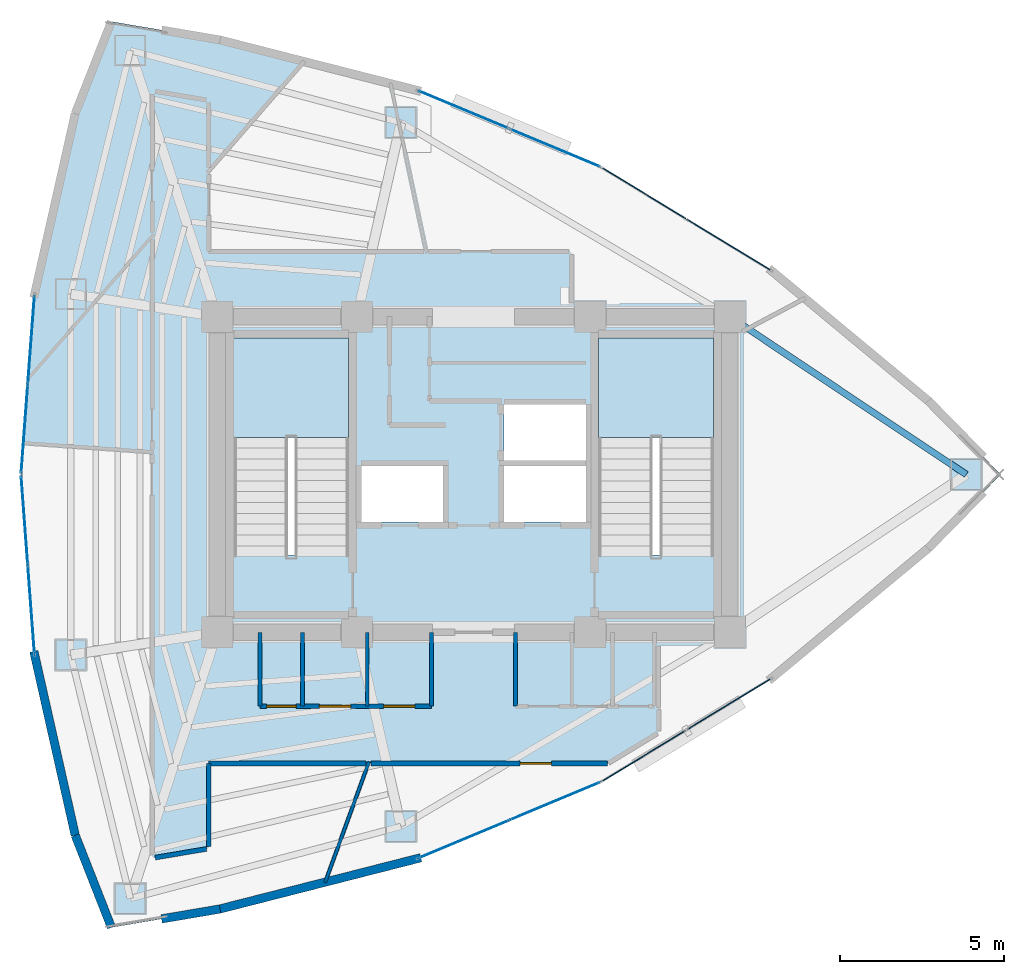
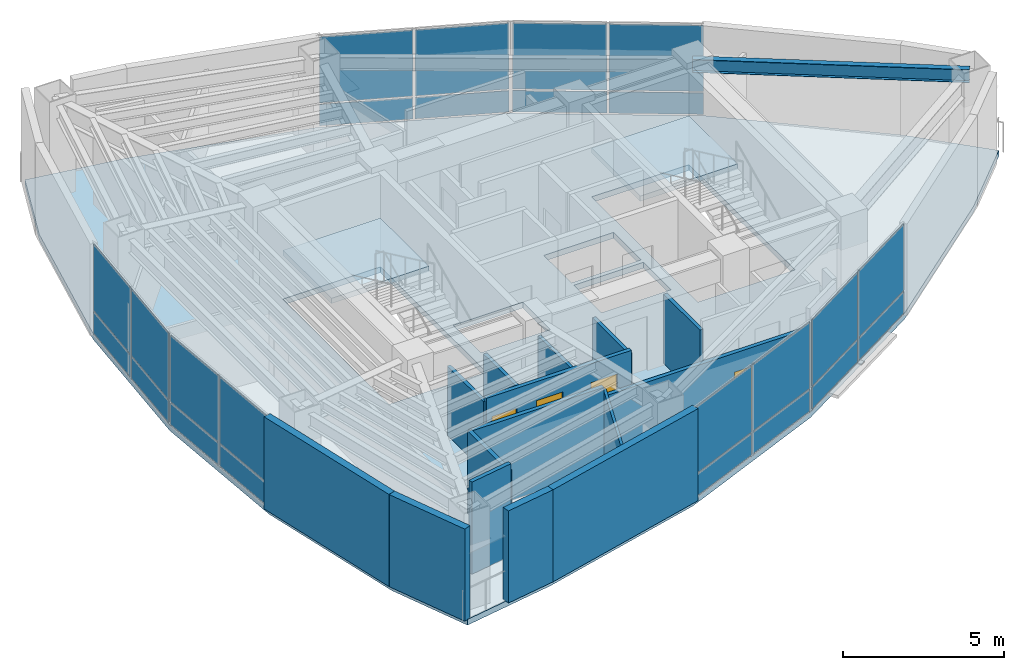
# One storey, part 11 of 15: 24 plates, 15 walls, 4 doors, 3 slabs, 1 beam, 4 openings, 8 elements without a shape of their own.
"""IFC4 building model written with IfcOpenShell, lengths in metres."""

from ifc_helpers import new_model, si_unit, direction, frame, frame_2d, origin, origin_2d, place, context, subcontext, project, spatial, polyline, rectangle, i_section, outline, extrude, material, layer, layer_set, material_profile, profile_set, type_object, element, fill, aggregate, save


model = new_model("IFC4")

# Units and contexts
model_context = context("Model", 3, precision=1e-05, world=origin(), true_north=direction((0.0, 1.0)))
body_context = subcontext(model_context, "Body", "Model", "MODEL_VIEW")
ifc_project = project(units=[si_unit("LENGTHUNIT", "METRE"), si_unit("AREAUNIT", "SQUARE_METRE"), si_unit("VOLUMEUNIT", "CUBIC_METRE"), si_unit("PLANEANGLEUNIT", "RADIAN"), si_unit("MASSUNIT", "GRAM", prefix="KILO")], contexts=[model_context])

# Site, building, storey
site_placement = place(None, origin())
site = spatial("IfcSite", under=ifc_project, at=site_placement, CompositionType="ELEMENT")
building_placement = place(site_placement, origin())
building = spatial("IfcBuilding", under=site, at=building_placement, Name="Menara Vayukalpa", CompositionType="ELEMENT")
storey_placement = place(building_placement, frame((0.0, 0.0, 226.97998046875)))
storey = spatial("IfcBuildingStorey", under=building, at=storey_placement, Name="L57", CompositionType="ELEMENT", Elevation=226.97998046875)

# Beam
ifc_material_1 = material(Name="Steel S355", Category="steel")
ifc_material_profile = material_profile(ifc_material_1, i_section(OverallWidth=0.199951171875, OverallDepth=0.5, WebThickness=0.010009765625, FlangeThickness=0.01611328125, at=origin_2d()), Name="WF 500x200x10x16")
ifc_profile_set = profile_set([ifc_material_profile], Name="Steel S355")
beam_type = type_object("IfcBeamType", Name="BM-SP3", PredefinedType="SPANDREL", material=ifc_profile_set)
beam_placement = place(storey_placement, frame((40.590576171875, 22.0, 3.25), z_axis=(-0.831715622571, 0.555201876052, 0.0), x_axis=(-0.555201876052, -0.831715622571, 0.0)))
element("IfcBeam", 1, at=beam_placement, inside=storey, type_object=beam_type, Name="L57 Perimeter Spandrel Beam SP01", PredefinedType="SPANDREL", context=body_context, shape_type="SweptSolid", body=[
    extrude(i_section(OverallWidth=0.199951171875, OverallDepth=0.5, WebThickness=0.010009765625, FlangeThickness=0.01611328125, at=origin_2d()), origin(), (0.0, 0.0, 1.0), 8.6455078125),
])

# Curtain wall, plates
ifc_material_2 = material(Name="Anodised Terracotta Aluminium Alloy 6063-T6", Category="masonry")
ifc_layer_1 = layer(ifc_material_2, 0.139892578125)
ifc_layer_set_1 = layer_set([ifc_layer_1], Name="Anodised Terracotta Aluminium Alloy 6063-T6")
curtain_wall_type = type_object("IfcCurtainWallType", Name="CW-CW5", PredefinedType="USERDEFINED", material=ifc_layer_set_1)
curtain_wall_1_placement = place(storey_placement, origin())
curtain_wall_1 = element("IfcCurtainWall", 2, at=curtain_wall_1_placement, inside=storey, type_object=curtain_wall_type, Name="L57 High Rise Tapered Curtain Wall CW5 04", ObjectType="UNITISED", PredefinedType="USERDEFINED")
ifc_material_3 = material(Name="Low-E Double Glazing", Category="glass")
ifc_layer_2 = layer(ifc_material_3, 0.028076171875)
ifc_layer_set_2 = layer_set([ifc_layer_2], Name="Low-E Double Glazing")
plate_type = type_object("IfcPlateType", Name="CWP-CW5", PredefinedType="CURTAIN_PANEL", material=ifc_layer_set_2)
plate_1_placement = place(storey_placement, frame((33.358642578125, 28.994384765625, 0.06005859375), z_axis=(0.0, 0.0, 1.0), x_axis=(-0.854664974832, 0.519179911779, 0.0)))
plate_1 = element("IfcPlate", 3, at=plate_1_placement, type_object=plate_type, Name="CW5 panel 1.1", PredefinedType="CURTAIN_PANEL", context=body_context, shape_type="SweptSolid", body=[
    extrude(rectangle(XDim=2.9423828125, YDim=0.028076171875, at=origin_2d()), origin(), (0.0, 0.0, 1.0), 0.81005859375),
])
plate_2_placement = place(storey_placement, frame((33.358642578125, 28.994384765625, 0.93017578125), z_axis=(0.0, 0.0, 1.0), x_axis=(-0.854664974832, 0.519179911779, 0.0)))
plate_2 = element("IfcPlate", 4, at=plate_2_placement, type_object=plate_type, Name="CW5 panel 1.2", PredefinedType="CURTAIN_PANEL", context=body_context, shape_type="SweptSolid", body=[
    extrude(rectangle(XDim=2.9423828125, YDim=0.028076171875, at=origin_2d()), origin(), (0.0, 0.0, 1.0), 2.510009765625),
])
plate_3_placement = place(storey_placement, frame((30.79248046875, 30.55322265625, 0.06005859375), z_axis=(0.0, 0.0, 1.0), x_axis=(-0.854664974832, 0.519179911779, 0.0)))
plate_3 = element("IfcPlate", 5, at=plate_3_placement, type_object=plate_type, Name="CW5 panel 2.1", PredefinedType="CURTAIN_PANEL", context=body_context, shape_type="SweptSolid", body=[
    extrude(rectangle(XDim=2.9423828125, YDim=0.028076171875, at=origin_2d()), origin(), (0.0, 0.0, 1.0), 0.81005859375),
])
plate_4_placement = place(storey_placement, frame((30.79248046875, 30.55322265625, 0.93017578125), z_axis=(0.0, 0.0, 1.0), x_axis=(-0.854664974832, 0.519179911779, 0.0)))
plate_4 = element("IfcPlate", 6, at=plate_4_placement, type_object=plate_type, Name="CW5 panel 2.2", PredefinedType="CURTAIN_PANEL", context=body_context, shape_type="SweptSolid", body=[
    extrude(rectangle(XDim=2.9423828125, YDim=0.028076171875, at=origin_2d()), origin(), (0.0, 0.0, 1.0), 2.510009765625),
])
aggregate(curtain_wall_1, [plate_1, plate_2, plate_3, plate_4])

curtain_wall_2_placement = place(storey_placement, origin())
curtain_wall_2 = element("IfcCurtainWall", 7, at=curtain_wall_2_placement, inside=storey, type_object=curtain_wall_type, Name="L57 High Rise Tapered Curtain Wall CW5 05", ObjectType="UNITISED", PredefinedType="USERDEFINED")
plate_5_placement = place(storey_placement, frame((28.071044921875, 31.93896484375, 0.06005859375), z_axis=(0.0, 0.0, 1.0), x_axis=(-0.922539431351, 0.385902834406, 0.0)))
plate_5 = element("IfcPlate", 8, at=plate_5_placement, type_object=plate_type, Name="CW5 panel 1.1", PredefinedType="CURTAIN_PANEL", context=body_context, shape_type="SweptSolid", body=[
    extrude(rectangle(XDim=2.9423828125, YDim=0.028076171875, at=origin_2d()), origin(), (0.0, 0.0, 1.0), 0.81005859375),
])
plate_6_placement = place(storey_placement, frame((28.071044921875, 31.93896484375, 0.93017578125), z_axis=(0.0, 0.0, 1.0), x_axis=(-0.922539431351, 0.385902834406, 0.0)))
plate_6 = element("IfcPlate", 9, at=plate_6_placement, type_object=plate_type, Name="CW5 panel 1.2", PredefinedType="CURTAIN_PANEL", context=body_context, shape_type="SweptSolid", body=[
    extrude(rectangle(XDim=2.9423828125, YDim=0.028076171875, at=origin_2d()), origin(), (0.0, 0.0, 1.0), 2.510009765625),
])
plate_7_placement = place(storey_placement, frame((25.30126953125, 33.09765625, 0.06005859375), z_axis=(0.0, 0.0, 1.0), x_axis=(-0.922539431351, 0.385902834406, 0.0)))
plate_7 = element("IfcPlate", 10, at=plate_7_placement, type_object=plate_type, Name="CW5 panel 2.1", PredefinedType="CURTAIN_PANEL", context=body_context, shape_type="SweptSolid", body=[
    extrude(rectangle(XDim=2.9423828125, YDim=0.028076171875, at=origin_2d()), origin(), (0.0, 0.0, 1.0), 0.81005859375),
])
plate_8_placement = place(storey_placement, frame((25.30126953125, 33.09765625, 0.93017578125), z_axis=(0.0, 0.0, 1.0), x_axis=(-0.922539431351, 0.385902834406, 0.0)))
plate_8 = element("IfcPlate", 11, at=plate_8_placement, type_object=plate_type, Name="CW5 panel 2.2", PredefinedType="CURTAIN_PANEL", context=body_context, shape_type="SweptSolid", body=[
    extrude(rectangle(XDim=2.9423828125, YDim=0.028076171875, at=origin_2d()), origin(), (0.0, 0.0, 1.0), 2.510009765625),
])
aggregate(curtain_wall_2, [plate_5, plate_6, plate_7, plate_8])

curtain_wall_3_placement = place(storey_placement, origin())
curtain_wall_3 = element("IfcCurtainWall", 12, at=curtain_wall_3_placement, inside=storey, type_object=curtain_wall_type, Name="L57 High Rise Tapered Curtain Wall CW5 10", ObjectType="UNITISED", PredefinedType="USERDEFINED")
plate_9_placement = place(storey_placement, frame((12.139892578125, 26.10205078125, 0.06005859375), z_axis=(0.0, 0.0, 1.0), x_axis=(-0.074791754736, -0.9971991744, 0.0)))
plate_9 = element("IfcPlate", 13, at=plate_9_placement, type_object=plate_type, Name="CW5 panel 1.1", PredefinedType="CURTAIN_PANEL", context=body_context, shape_type="SweptSolid", body=[
    extrude(rectangle(XDim=2.662353515625, YDim=0.028076171875, at=origin_2d()), origin(), (0.0, 0.0, 1.0), 0.81005859375),
])
plate_10_placement = place(storey_placement, frame((12.139892578125, 26.10205078125, 0.93017578125), z_axis=(0.0, 0.0, 1.0), x_axis=(-0.074791754736, -0.9971991744, 0.0)))
plate_10 = element("IfcPlate", 14, at=plate_10_placement, type_object=plate_type, Name="CW5 panel 1.2", PredefinedType="CURTAIN_PANEL", context=body_context, shape_type="SweptSolid", body=[
    extrude(rectangle(XDim=2.662353515625, YDim=0.028076171875, at=origin_2d()), origin(), (0.0, 0.0, 1.0), 2.510009765625),
])
plate_11_placement = place(storey_placement, frame((11.936279296875, 23.38720703125, 0.06005859375), z_axis=(0.0, 0.0, 1.0), x_axis=(-0.074791754736, -0.9971991744, 0.0)))
plate_11 = element("IfcPlate", 15, at=plate_11_placement, type_object=plate_type, Name="CW5 panel 2.1", PredefinedType="CURTAIN_PANEL", context=body_context, shape_type="SweptSolid", body=[
    extrude(rectangle(XDim=2.662353515625, YDim=0.028076171875, at=origin_2d()), origin(), (0.0, 0.0, 1.0), 0.81005859375),
])
plate_12_placement = place(storey_placement, frame((11.936279296875, 23.38720703125, 0.93017578125), z_axis=(0.0, 0.0, 1.0), x_axis=(-0.074791754736, -0.9971991744, 0.0)))
plate_12 = element("IfcPlate", 16, at=plate_12_placement, type_object=plate_type, Name="CW5 panel 2.2", PredefinedType="CURTAIN_PANEL", context=body_context, shape_type="SweptSolid", body=[
    extrude(rectangle(XDim=2.662353515625, YDim=0.028076171875, at=origin_2d()), origin(), (0.0, 0.0, 1.0), 2.510009765625),
])
aggregate(curtain_wall_3, [plate_9, plate_10, plate_11, plate_12])

curtain_wall_4_placement = place(storey_placement, origin())
curtain_wall_4 = element("IfcCurtainWall", 17, at=curtain_wall_4_placement, inside=storey, type_object=curtain_wall_type, Name="L57 High Rise Tapered Curtain Wall CW5 11", ObjectType="UNITISED", PredefinedType="USERDEFINED")
plate_13_placement = place(storey_placement, frame((11.936279296875, 20.61279296875, 0.06005859375), z_axis=(0.0, 0.0, 1.0), x_axis=(0.074791754736, -0.9971991744, 0.0)))
plate_13 = element("IfcPlate", 18, at=plate_13_placement, type_object=plate_type, Name="CW5 panel 1.1", PredefinedType="CURTAIN_PANEL", context=body_context, shape_type="SweptSolid", body=[
    extrude(rectangle(XDim=2.662353515625, YDim=0.028076171875, at=origin_2d()), origin(), (0.0, 0.0, 1.0), 0.81005859375),
])
plate_14_placement = place(storey_placement, frame((11.936279296875, 20.61279296875, 0.93017578125), z_axis=(0.0, 0.0, 1.0), x_axis=(0.074791754736, -0.9971991744, 0.0)))
plate_14 = element("IfcPlate", 19, at=plate_14_placement, type_object=plate_type, Name="CW5 panel 1.2", PredefinedType="CURTAIN_PANEL", context=body_context, shape_type="SweptSolid", body=[
    extrude(rectangle(XDim=2.662353515625, YDim=0.028076171875, at=origin_2d()), origin(), (0.0, 0.0, 1.0), 2.510009765625),
])
plate_15_placement = place(storey_placement, frame((12.139892578125, 17.89794921875, 0.06005859375), z_axis=(0.0, 0.0, 1.0), x_axis=(0.074791754736, -0.9971991744, 0.0)))
plate_15 = element("IfcPlate", 20, at=plate_15_placement, type_object=plate_type, Name="CW5 panel 2.1", PredefinedType="CURTAIN_PANEL", context=body_context, shape_type="SweptSolid", body=[
    extrude(rectangle(XDim=2.662353515625, YDim=0.028076171875, at=origin_2d()), origin(), (0.0, 0.0, 1.0), 0.81005859375),
])
plate_16_placement = place(storey_placement, frame((12.139892578125, 17.89794921875, 0.93017578125), z_axis=(0.0, 0.0, 1.0), x_axis=(0.074791754736, -0.9971991744, 0.0)))
plate_16 = element("IfcPlate", 21, at=plate_16_placement, type_object=plate_type, Name="CW5 panel 2.2", PredefinedType="CURTAIN_PANEL", context=body_context, shape_type="SweptSolid", body=[
    extrude(rectangle(XDim=2.662353515625, YDim=0.028076171875, at=origin_2d()), origin(), (0.0, 0.0, 1.0), 2.510009765625),
])
aggregate(curtain_wall_4, [plate_13, plate_14, plate_15, plate_16])

curtain_wall_5_placement = place(storey_placement, origin())
curtain_wall_5 = element("IfcCurtainWall", 22, at=curtain_wall_5_placement, inside=storey, type_object=curtain_wall_type, Name="L57 High Rise Tapered Curtain Wall CW5 16", ObjectType="UNITISED", PredefinedType="USERDEFINED")
plate_17_placement = place(storey_placement, frame((25.30126953125, 10.90234375, 0.06005859375), z_axis=(0.0, 0.0, 1.0), x_axis=(0.922539431351, 0.385902834406, 0.0)))
plate_17 = element("IfcPlate", 23, at=plate_17_placement, type_object=plate_type, Name="CW5 panel 1.1", PredefinedType="CURTAIN_PANEL", context=body_context, shape_type="SweptSolid", body=[
    extrude(rectangle(XDim=2.9423828125, YDim=0.028076171875, at=origin_2d()), origin(), (0.0, 0.0, 1.0), 0.81005859375),
])
plate_18_placement = place(storey_placement, frame((25.30126953125, 10.90234375, 0.93017578125), z_axis=(0.0, 0.0, 1.0), x_axis=(0.922539431351, 0.385902834406, 0.0)))
plate_18 = element("IfcPlate", 24, at=plate_18_placement, type_object=plate_type, Name="CW5 panel 1.2", PredefinedType="CURTAIN_PANEL", context=body_context, shape_type="SweptSolid", body=[
    extrude(rectangle(XDim=2.9423828125, YDim=0.028076171875, at=origin_2d()), origin(), (0.0, 0.0, 1.0), 2.510009765625),
])
plate_19_placement = place(storey_placement, frame((28.071044921875, 12.06103515625, 0.06005859375), z_axis=(0.0, 0.0, 1.0), x_axis=(0.922539431351, 0.385902834406, 0.0)))
plate_19 = element("IfcPlate", 25, at=plate_19_placement, type_object=plate_type, Name="CW5 panel 2.1", PredefinedType="CURTAIN_PANEL", context=body_context, shape_type="SweptSolid", body=[
    extrude(rectangle(XDim=2.9423828125, YDim=0.028076171875, at=origin_2d()), origin(), (0.0, 0.0, 1.0), 0.81005859375),
])
plate_20_placement = place(storey_placement, frame((28.071044921875, 12.06103515625, 0.93017578125), z_axis=(0.0, 0.0, 1.0), x_axis=(0.922539431351, 0.385902834406, 0.0)))
plate_20 = element("IfcPlate", 26, at=plate_20_placement, type_object=plate_type, Name="CW5 panel 2.2", PredefinedType="CURTAIN_PANEL", context=body_context, shape_type="SweptSolid", body=[
    extrude(rectangle(XDim=2.9423828125, YDim=0.028076171875, at=origin_2d()), origin(), (0.0, 0.0, 1.0), 2.510009765625),
])
aggregate(curtain_wall_5, [plate_17, plate_18, plate_19, plate_20])

curtain_wall_6_placement = place(storey_placement, origin())
curtain_wall_6 = element("IfcCurtainWall", 27, at=curtain_wall_6_placement, inside=storey, type_object=curtain_wall_type, Name="L57 High Rise Tapered Curtain Wall CW5 17", ObjectType="UNITISED", PredefinedType="USERDEFINED")
plate_21_placement = place(storey_placement, frame((30.79248046875, 13.44677734375, 0.06005859375), z_axis=(0.0, 0.0, 1.0), x_axis=(0.854664974832, 0.519179911779, 0.0)))
plate_21 = element("IfcPlate", 28, at=plate_21_placement, type_object=plate_type, Name="CW5 panel 1.1", PredefinedType="CURTAIN_PANEL", context=body_context, shape_type="SweptSolid", body=[
    extrude(rectangle(XDim=2.9423828125, YDim=0.028076171875, at=origin_2d()), origin(), (0.0, 0.0, 1.0), 0.81005859375),
])
plate_22_placement = place(storey_placement, frame((30.79248046875, 13.44677734375, 0.93017578125), z_axis=(0.0, 0.0, 1.0), x_axis=(0.854664974832, 0.519179911779, 0.0)))
plate_22 = element("IfcPlate", 29, at=plate_22_placement, type_object=plate_type, Name="CW5 panel 1.2", PredefinedType="CURTAIN_PANEL", context=body_context, shape_type="SweptSolid", body=[
    extrude(rectangle(XDim=2.9423828125, YDim=0.028076171875, at=origin_2d()), origin(), (0.0, 0.0, 1.0), 2.510009765625),
])
plate_23_placement = place(storey_placement, frame((33.358642578125, 15.005615234375, 0.06005859375), z_axis=(0.0, 0.0, 1.0), x_axis=(0.854664974832, 0.519179911779, 0.0)))
plate_23 = element("IfcPlate", 30, at=plate_23_placement, type_object=plate_type, Name="CW5 panel 2.1", PredefinedType="CURTAIN_PANEL", context=body_context, shape_type="SweptSolid", body=[
    extrude(rectangle(XDim=2.9423828125, YDim=0.028076171875, at=origin_2d()), origin(), (0.0, 0.0, 1.0), 0.81005859375),
])
plate_24_placement = place(storey_placement, frame((33.358642578125, 15.005615234375, 0.93017578125), z_axis=(0.0, 0.0, 1.0), x_axis=(0.854664974832, 0.519179911779, 0.0)))
plate_24 = element("IfcPlate", 31, at=plate_24_placement, type_object=plate_type, Name="CW5 panel 2.2", PredefinedType="CURTAIN_PANEL", context=body_context, shape_type="SweptSolid", body=[
    extrude(rectangle(XDim=2.9423828125, YDim=0.028076171875, at=origin_2d()), origin(), (0.0, 0.0, 1.0), 2.510009765625),
])
aggregate(curtain_wall_6, [plate_21, plate_22, plate_23, plate_24])

# Slab
ifc_material_4 = material(Name="Concrete C40/50", Category="concrete")
ifc_layer_3 = layer(ifc_material_4, 0.219970703125)
ifc_layer_set_3 = layer_set([ifc_layer_3], Name="Concrete C40/50")
slab_type_1 = type_object("IfcSlabType", Name="SLB-FL220", PredefinedType="FLOOR", material=ifc_layer_set_3)
slab_1_placement = place(storey_placement, frame((0.0, 0.0, -0.219970703125)))
element("IfcSlab", 32, at=slab_1_placement, inside=storey, type_object=slab_type_1, Name="L57 Structural Floor Slab", PredefinedType="FLOOR", context=body_context, shape_type="SweptSolid", body=[
    extrude(outline(polyline([(39.439208984375, 19.7578125), (41.640380859375, 22.0), (39.439208984375, 24.2421875), (34.667236328125, 28.19921875), (29.48388671875, 31.34814453125), (23.888671875, 33.688720703125), (17.881591796875, 35.220703125), (14.579833984375, 35.781005859375), (13.47900390625, 32.978515625), (12.243896484375, 27.4892578125), (11.832275390625, 22.0), (12.243896484375, 16.5107421875), (13.47900390625, 11.021484375), (14.579833984375, 8.218994140625), (17.881591796875, 8.779296875), (23.888671875, 10.311279296875), (29.48388671875, 12.65185546875), (34.667236328125, 15.80078125), (39.439208984375, 19.7578125)]), holes=[polyline([(21.800048828125, 19.550048828125), (21.800048828125, 26.14990234375), (18.300048828125, 26.14990234375), (18.300048828125, 19.550048828125), (21.800048828125, 19.550048828125)]), polyline([(32.89990234375, 19.550048828125), (32.89990234375, 26.14990234375), (29.39990234375, 26.14990234375), (29.39990234375, 19.550048828125), (32.89990234375, 19.550048828125)]), polyline([(22.179931640625, 20.550048828125), (24.679931640625, 20.550048828125), (24.679931640625, 22.27001953125), (22.179931640625, 22.27001953125), (22.179931640625, 20.550048828125)]), polyline([(26.52001953125, 20.550048828125), (29.02001953125, 20.550048828125), (29.02001953125, 22.27001953125), (26.52001953125, 22.27001953125), (26.52001953125, 20.550048828125)]), polyline([(26.52001953125, 22.419921875), (29.02001953125, 22.419921875), (29.02001953125, 24.139892578125), (26.52001953125, 24.139892578125), (26.52001953125, 22.419921875)])]), origin(), (0.0, 0.0, 1.0), 0.219970703125),
])

# Stair, slab
ifc_material_5 = material(Name="Precast Concrete C40/50", Category="concrete")
stair_type = type_object("IfcStairType", Name="STR-T04", PredefinedType="DOUBLE_RETURN_STAIR", material=ifc_material_5)
stair_1_placement = place(storey_placement, origin())
stair_1 = element("IfcStair", 33, at=stair_1_placement, inside=storey, type_object=stair_type, Name="L57 Core Exit Stair ST-1", PredefinedType="DOUBLE_RETURN_STAIR")
ifc_material_6 = material(Name="Precast Concrete C40/50", Category="concrete")
ifc_layer_4 = layer(ifc_material_6, 0.199951171875)
ifc_layer_set_4 = layer_set([ifc_layer_4], Name="Precast Concrete C40/50")
slab_type_2 = type_object("IfcSlabType", Name="SLB-LND200", PredefinedType="LANDING", material=ifc_layer_set_4)
slab_2_placement = place(storey_placement, frame((0.0, 0.0, 1.659912109375)))
slab_2 = element("IfcSlab", 34, at=slab_2_placement, type_object=slab_type_2, Name="ST-1 landing 1", PredefinedType="LANDING", context=body_context, shape_type="SweptSolid", body=[
    extrude(outline(polyline([(21.800048828125, 23.1298828125), (21.800048828125, 26.14990234375), (18.300048828125, 26.14990234375), (18.300048828125, 23.1298828125), (21.800048828125, 23.1298828125)])), origin(), (0.0, 0.0, 1.0), 0.2001953125),
])
aggregate(stair_1, [slab_2])

stair_2_placement = place(storey_placement, origin())
stair_2 = element("IfcStair", 35, at=stair_2_placement, inside=storey, type_object=stair_type, Name="L57 Core Exit Stair ST-2", PredefinedType="DOUBLE_RETURN_STAIR")
slab_3_placement = place(storey_placement, frame((0.0, 0.0, 1.659912109375)))
slab_3 = element("IfcSlab", 36, at=slab_3_placement, type_object=slab_type_2, Name="ST-2 landing 1", PredefinedType="LANDING", context=body_context, shape_type="SweptSolid", body=[
    extrude(outline(polyline([(32.89990234375, 23.1298828125), (32.89990234375, 26.14990234375), (29.39990234375, 26.14990234375), (29.39990234375, 23.1298828125), (32.89990234375, 23.1298828125)])), origin(), (0.0, 0.0, 1.0), 0.2001953125),
])
aggregate(stair_2, [slab_3])

# Walls
ifc_material_7 = material(Name="Insulated Precast Concrete C40/50", Category="concrete")
ifc_layer_5 = layer(ifc_material_7, 0.260009765625)
ifc_layer_set_5 = layer_set([ifc_layer_5], Name="Insulated Precast Concrete C40/50")
wall_type_1 = type_object("IfcWallType", Name="WAL-EXT260", PredefinedType="PARTITIONING", material=ifc_layer_set_5)
wall_1_placement = place(storey_placement, frame((13.47900390625, 11.021484375, 0.0), z_axis=(0.0, 0.0, 1.0), x_axis=(-0.219475737697, 0.975617958303, 0.0)))
element("IfcWall", 37, at=wall_1_placement, inside=storey, type_object=wall_type_1, Name="L57 Perimeter Terracotta Pier Wall 12", PredefinedType="PARTITIONING", context=body_context, shape_type="SweptSolid", body=[
    extrude(rectangle(XDim=5.736572265625, YDim=0.260009765625, at=frame_2d((2.8681640625, 0.0))), origin(), (0.0, 0.0, 1.0), 3.5),
])
wall_2_placement = place(storey_placement, frame((14.579833984375, 8.218994140625, 0.0), z_axis=(0.0, 0.0, 1.0), x_axis=(-0.365609724313, 0.930768246927, 0.0)))
element("IfcWall", 38, at=wall_2_placement, inside=storey, type_object=wall_type_1, Name="L57 Perimeter Terracotta Pier Wall 13", PredefinedType="PARTITIONING", context=body_context, shape_type="SweptSolid", body=[
    extrude(rectangle(XDim=3.010986328125, YDim=0.260009765625, at=frame_2d((1.50537109375, 0.0))), origin(), (0.0, 0.0, 1.0), 3.5),
])
wall_3_placement = place(storey_placement, frame((17.8876953125, 8.780517578125, 0.0), z_axis=(0.0, 0.0, 1.0), x_axis=(-0.985877723898, -0.167466753484, 0.0)))
element("IfcWall", 39, at=wall_3_placement, inside=storey, type_object=wall_type_1, Name="L57 Perimeter Terracotta Pier Wall 14", PredefinedType="PARTITIONING", context=body_context, shape_type="SweptSolid", body=[
    extrude(rectangle(XDim=1.80615234375, YDim=0.260009765625, at=frame_2d((0.903076171875, 0.0))), origin(), (0.0, 0.0, 1.0), 3.5),
])
wall_4_placement = place(storey_placement, frame((23.9951171875, 10.338623046875, 0.0), z_axis=(0.0, 0.0, 1.0), x_axis=(-0.968976240439, -0.247153890246, 0.0)))
element("IfcWall", 40, at=wall_4_placement, inside=storey, type_object=wall_type_1, Name="L57 Perimeter Terracotta Pier Wall 15", PredefinedType="PARTITIONING", context=body_context, shape_type="SweptSolid", body=[
    extrude(rectangle(XDim=6.31494140625, YDim=0.260009765625, at=frame_2d((3.157470703125, 0.0))), origin(), (0.0, 0.0, 1.0), 3.5),
])
ifc_material_8 = material(Name="Glazed Demountable Office Partition", Category="glass")
ifc_layer_6 = layer(ifc_material_8, 0.094970703125)
ifc_layer_set_6 = layer_set([ifc_layer_6], Name="Glazed Demountable Office Partition")
wall_type_2 = type_object("IfcWallType", Name="WAL-PT100", PredefinedType="PARTITIONING", material=ifc_layer_set_6)
wall_5_placement = place(storey_placement, frame((22.4189453125, 13.260009765625, 0.0), z_axis=(0.0, 0.0, 1.0), x_axis=(-0.342048810679, -0.939682186227, 0.0)))
element("IfcWall", 41, at=wall_5_placement, inside=storey, type_object=wall_type_2, Name="L57 Interior Partition IW-L57-RDIV04", PredefinedType="PARTITIONING", context=body_context, shape_type="SweptSolid", body=[
    extrude(rectangle(XDim=3.91064453125, YDim=0.094970703125, at=frame_2d((1.955322265625, 0.0))), origin(), (0.0, 0.0, 1.0), 2.97998046875),
])
ifc_material_9 = material(Name="Acoustic Mineral Stud Partition", Category="masonry")
ifc_layer_7 = layer(ifc_material_9, 0.110107421875)
ifc_layer_set_7 = layer_set([ifc_layer_7], Name="Acoustic Mineral Stud Partition")
wall_type_3 = type_object("IfcWallType", Name="WAL-PT110", PredefinedType="PARTITIONING", material=ifc_layer_set_7)
wall_6_placement = place(storey_placement, frame((22.360107421875, 14.949951171875, 0.0), z_axis=(0.0, 0.0, 1.0), x_axis=(0.0, 1.0, 0.0)))
element("IfcWall", 42, at=wall_6_placement, inside=storey, type_object=wall_type_3, Name="L57 Interior Partition IW-L57-SVCD-03", PredefinedType="PARTITIONING", context=body_context, shape_type="SweptSolid", body=[
    extrude(rectangle(XDim=2.25, YDim=0.110107421875, at=frame_2d((1.125, 0.0))), origin(), (0.0, 0.0, 1.0), 2.630126953125),
])
ifc_material_10 = material(Name="Gypsum Drywall Steel Stud Assembly", Category="steel")
ifc_layer_8 = layer(ifc_material_10, 0.125)
ifc_layer_set_8 = layer_set([ifc_layer_8], Name="Gypsum Drywall Steel Stud Assembly")
wall_type_4 = type_object("IfcWallType", Name="WAL-PT125", PredefinedType="PARTITIONING", material=ifc_layer_set_8)
for number, where, z_axis, x_axis, name in (
    (43, (19.10009765625, 14.949951171875, 0.0), (0.0, 0.0, 1.0), (0.0, 1.0, 0.0), "L57 Interior Partition IW-L57-SVCD-01"),
    (44, (20.39990234375, 14.949951171875, 0.0), (0.0, 0.0, 1.0), (0.0, 1.0, 0.0), "L57 Interior Partition IW-L57-SVCD-02"),
    (45, (24.320068359375, 14.949951171875, 0.0), (0.0, 0.0, 1.0), (0.0, 1.0, 0.0), "L57 Interior Partition IW-L57-SVCD-04"),
    (46, (26.8798828125, 14.949951171875, 0.0), (0.0, 0.0, 1.0), (0.0, 1.0, 0.0), "L57 Interior Partition IW-L57-SVCD-05"),
):
    element("IfcWall", number, at=place(storey_placement, frame(where, z_axis=z_axis, x_axis=x_axis)), inside=storey, type_object=wall_type_4, Name=name, PredefinedType="PARTITIONING", context=body_context, shape_type="SweptSolid", body=[
        extrude(rectangle(XDim=2.25, YDim=0.125, at=frame_2d((1.125, 0.0))), origin(), (0.0, 0.0, 1.0), 2.630126953125),
    ])

# Wall, openings, doors
ifc_material_11 = material(Name="Gypsum Drywall Acoustic Stud Assembly", Category="masonry")
ifc_layer_9 = layer(ifc_material_11, 0.14501953125)
ifc_layer_set_9 = layer_set([ifc_layer_9], Name="Gypsum Drywall Acoustic Stud Assembly")
wall_type_5 = type_object("IfcWallType", Name="WAL-PT150", PredefinedType="PARTITIONING", material=ifc_layer_set_9)
wall_7_placement = place(storey_placement, frame((19.10009765625, 14.949951171875, 0.0), z_axis=(0.0, 0.0, 1.0), x_axis=(1.0, 0.0, 0.0)))
wall_7 = element("IfcWall", 47, at=wall_7_placement, inside=storey, type_object=wall_type_5, Name="L57 Interior Partition IW-L57-SVCS-W", PredefinedType="PARTITIONING", context=body_context, shape_type="SweptSolid", body=[
    extrude(rectangle(XDim=5.219970703125, YDim=0.14501953125, at=frame_2d((2.60986328125, 0.0))), origin(), (0.0, 0.0, 1.0), 2.780029296875),
])
opening_1_placement = place(wall_7_placement, frame((0.199951171875, 0.0, 0.0)))
opening_1 = element("IfcOpeningElement", 48, at=opening_1_placement, cuts=wall_7, Name="Opening ID7", PredefinedType="OPENING", context=body_context, shape_type="SweptSolid", body=[
    extrude(rectangle(XDim=0.89990234375, YDim=2.02001953125, at=frame_2d((0.449951171875, 1.010009765625))), frame((0.0, 0.08251953125, 0.0), z_axis=(0.0, -1.0, 0.0), x_axis=(1.0, 0.0, 0.0)), (0.0, 0.0, 1.0), 0.1650390625),
])
opening_2_placement = place(wall_7_placement, frame((1.804931640625, 0.0, 0.0)))
opening_2 = element("IfcOpeningElement", 49, at=opening_2_placement, cuts=wall_7, Name="Opening ID5", PredefinedType="OPENING", context=body_context, shape_type="SweptSolid", body=[
    extrude(rectangle(XDim=0.949951171875, YDim=2.06005859375, at=frame_2d((0.47509765625, 1.030029296875))), frame((0.0, 0.08251953125, 0.0), z_axis=(0.0, -1.0, 0.0), x_axis=(1.0, 0.0, 0.0)), (0.0, 0.0, 1.0), 0.1650390625),
])
opening_3_placement = place(wall_7_placement, frame((3.764892578125, 0.0, 0.0)))
opening_3 = element("IfcOpeningElement", 50, at=opening_3_placement, cuts=wall_7, Name="Opening ID5", PredefinedType="OPENING", context=body_context, shape_type="SweptSolid", body=[
    extrude(rectangle(XDim=0.949951171875, YDim=2.06005859375, at=frame_2d((0.47509765625, 1.030029296875))), frame((0.0, 0.08251953125, 0.0), z_axis=(0.0, -1.0, 0.0), x_axis=(1.0, 0.0, 0.0)), (0.0, 0.0, 1.0), 0.1650390625),
])
ifc_material_12 = material(Name="Acoustic Hardwood Veneer Timber Door", Category="wood")
door_type_1 = type_object("IfcDoorType", Name="DR-INT95", OperationType="NOTDEFINED", PredefinedType="DOOR", material=ifc_material_12)
door_1_placement = place(opening_2_placement, origin())
door_1 = element("IfcDoor", 51, at=door_1_placement, inside=storey, type_object=door_type_1, Name="L57 Interior Door DR-L57-AWC", OperationType="SINGLE_SWING_RIGHT", OverallHeight=2.06005859375, OverallWidth=0.949951171875, PredefinedType="DOOR", context=body_context, shape_type="SweptSolid", body=[
    extrude(rectangle(XDim=0.949951171875, YDim=2.06005859375, at=frame_2d((0.47509765625, 1.030029296875))), frame((0.0, 0.02490234375, 0.0), z_axis=(0.0, -1.0, 0.0), x_axis=(1.0, 0.0, 0.0)), (0.0, 0.0, 1.0), 0.050048828125),
])
fill(opening_2, door_1)
door_2_placement = place(opening_3_placement, origin())
door_2 = element("IfcDoor", 52, at=door_2_placement, inside=storey, type_object=door_type_1, Name="L57 Interior Door DR-L57-SWC", OperationType="SINGLE_SWING_LEFT", OverallHeight=2.06005859375, OverallWidth=0.949951171875, PredefinedType="DOOR", context=body_context, shape_type="SweptSolid", body=[
    extrude(rectangle(XDim=0.949951171875, YDim=2.06005859375, at=frame_2d((0.47509765625, 1.030029296875))), frame((0.0, 0.02490234375, 0.0), z_axis=(0.0, -1.0, 0.0), x_axis=(1.0, 0.0, 0.0)), (0.0, 0.0, 1.0), 0.050048828125),
])
fill(opening_3, door_2)
ifc_material_13 = material(Name="Powder-Coated Steel Riser Access Door", Category="steel")
door_type_2 = type_object("IfcDoorType", Name="DR-RISER", OperationType="NOTDEFINED", PredefinedType="DOOR", material=ifc_material_13)
door_3_placement = place(opening_1_placement, origin())
door_3 = element("IfcDoor", 53, at=door_3_placement, inside=storey, type_object=door_type_2, Name="L57 Interior Door DR-L57-ELR", OperationType="SINGLE_SWING_LEFT", OverallHeight=2.02001953125, OverallWidth=0.89990234375, PredefinedType="DOOR", context=body_context, shape_type="SweptSolid", body=[
    extrude(rectangle(XDim=0.89990234375, YDim=2.02001953125, at=frame_2d((0.449951171875, 1.010009765625))), frame((0.0, 0.02490234375, 0.0), z_axis=(0.0, -1.0, 0.0), x_axis=(1.0, 0.0, 0.0)), (0.0, 0.0, 1.0), 0.050048828125),
])
fill(opening_1, door_3)

# Walls
wall_8_placement = place(storey_placement, frame((15.913330078125, 10.342041015625, 0.0), z_axis=(0.0, 0.0, 1.0), x_axis=(0.985914419316, 0.167250583809, 0.0)))
element("IfcWall", 54, at=wall_8_placement, inside=storey, type_object=wall_type_5, Name="L57 Interior Partition IW-L57-CRM01-2", PredefinedType="PARTITIONING", context=body_context, shape_type="SweptSolid", body=[
    extrude(rectangle(XDim=1.582275390625, YDim=0.14501953125, at=frame_2d((0.791015625, 0.0))), origin(), (0.0, 0.0, 1.0), 3.5),
])
wall_9_placement = place(storey_placement, frame((17.5400390625, 10.685791015625, 0.0), z_axis=(0.0, 0.0, 1.0), x_axis=(0.0, 1.0, 0.0)))
element("IfcWall", 55, at=wall_9_placement, inside=storey, type_object=wall_type_5, Name="L57 Interior Partition IW-L57-CRM01-3", PredefinedType="PARTITIONING", context=body_context, shape_type="SweptSolid", body=[
    extrude(rectangle(XDim=2.524169921875, YDim=0.14501953125, at=frame_2d((1.26220703125, 0.0))), origin(), (0.0, 0.0, 1.0), 3.130126953125),
])
wall_10_placement = place(storey_placement, frame((17.5400390625, 13.2099609375, 0.0), z_axis=(0.0, 0.0, 1.0), x_axis=(1.0, 0.0, 0.0)))
element("IfcWall", 56, at=wall_10_placement, inside=storey, type_object=wall_type_5, Name="L57 Interior Partition IW-L57-CRM01-4", PredefinedType="PARTITIONING", context=body_context, shape_type="SweptSolid", body=[
    extrude(rectangle(XDim=4.7861328125, YDim=0.14501953125, at=frame_2d((2.39306640625, 0.0))), origin(), (0.0, 0.0, 1.0), 3.130126953125),
])

# Wall, opening, door
wall_11_placement = place(storey_placement, frame((22.47509765625, 13.2099609375, 0.0), z_axis=(0.0, 0.0, 1.0), x_axis=(1.0, 0.0, 0.0)))
wall_11 = element("IfcWall", 57, at=wall_11_placement, inside=storey, type_object=wall_type_5, Name="L57 Interior Partition IW-L57-CRM03-1", PredefinedType="PARTITIONING", context=body_context, shape_type="SweptSolid", body=[
    extrude(rectangle(XDim=7.1923828125, YDim=0.14501953125, at=frame_2d((3.59619140625, 0.0))), origin(), (0.0, 0.0, 1.0), 2.780029296875),
])
opening_4_placement = place(wall_11_placement, frame((4.541748046875, 0.0, 0.0)))
opening_4 = element("IfcOpeningElement", 58, at=opening_4_placement, cuts=wall_11, Name="Opening ID5", PredefinedType="OPENING", context=body_context, shape_type="SweptSolid", body=[
    extrude(rectangle(XDim=0.949951171875, YDim=2.06005859375, at=frame_2d((0.47509765625, 1.030029296875))), frame((0.0, 0.08251953125, 0.0), z_axis=(0.0, -1.0, 0.0), x_axis=(1.0, 0.0, 0.0)), (0.0, 0.0, 1.0), 0.1650390625),
])
door_4_placement = place(opening_4_placement, origin())
door_4 = element("IfcDoor", 59, at=door_4_placement, inside=storey, type_object=door_type_1, Name="L57 Interior Door DR-L57-RM03", OperationType="SINGLE_SWING_RIGHT", OverallHeight=2.06005859375, OverallWidth=0.949951171875, PredefinedType="DOOR", context=body_context, shape_type="SweptSolid", body=[
    extrude(rectangle(XDim=0.949951171875, YDim=2.06005859375, at=frame_2d((0.47509765625, 1.030029296875))), frame((0.0, 0.02490234375, 0.0), z_axis=(0.0, -1.0, 0.0), x_axis=(1.0, 0.0, 0.0)), (0.0, 0.0, 1.0), 0.050048828125),
])
fill(opening_4, door_4)

save(model, "model.ifc")
